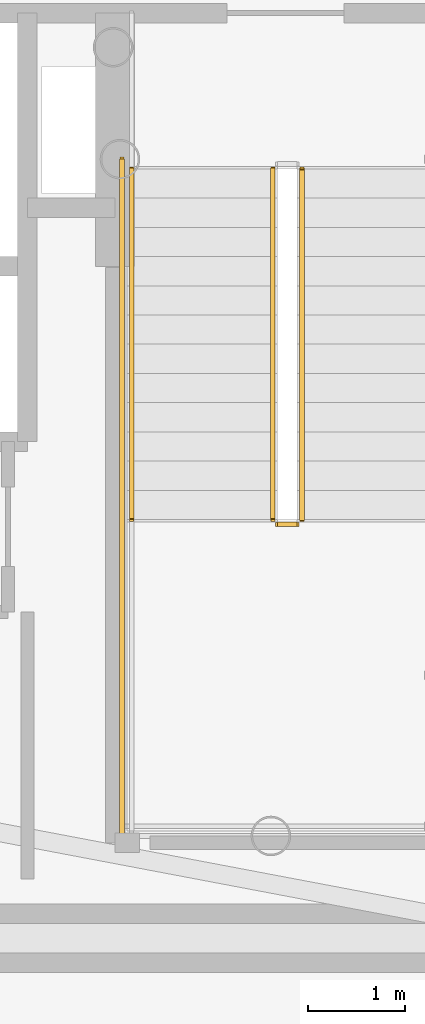
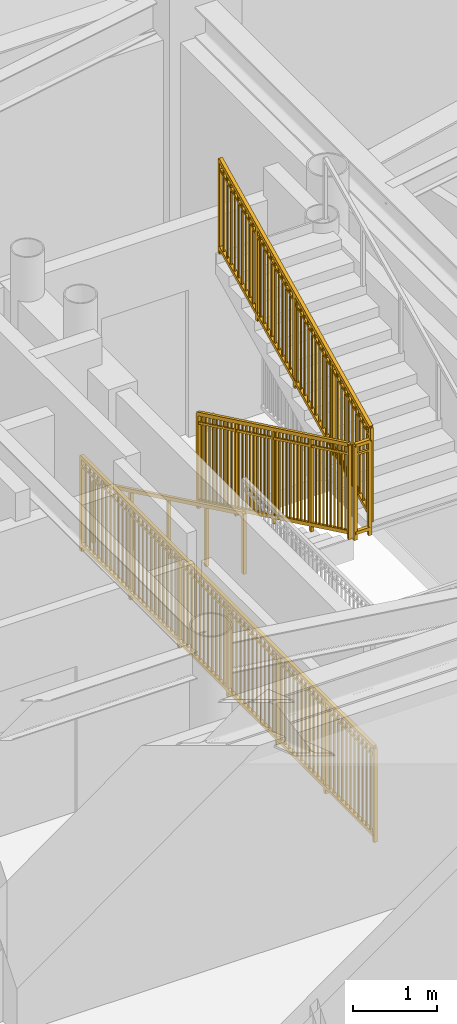
# One storey, part 17 of 19: 5 railings.
"""IFC4 building model written with IfcOpenShell, lengths in metres."""

from ifc_helpers import new_model, si_unit, direction, frame, origin, origin_2d, place, context, subcontext, project, spatial, rectangle, extrude, source, transform, mapped, material, type_object, element, save


model = new_model("IFC4")

# Units and contexts
model_context = context("Model", 3, precision=1e-05, world=origin(), true_north=direction((0.0, 1.0)))
body_context = subcontext(model_context, "Body", "Model", "MODEL_VIEW")
ifc_project = project(units=[si_unit("LENGTHUNIT", "METRE"), si_unit("AREAUNIT", "SQUARE_METRE"), si_unit("VOLUMEUNIT", "CUBIC_METRE"), si_unit("PLANEANGLEUNIT", "RADIAN"), si_unit("MASSUNIT", "GRAM", prefix="KILO")], contexts=[model_context])

# Site, building, storey
site_placement = place(None, origin())
site = spatial("IfcSite", under=ifc_project, at=site_placement, CompositionType="ELEMENT")
building_placement = place(site_placement, origin())
building = spatial("IfcBuilding", under=site, at=building_placement, Name="Linh Dai School and Residence Tower", CompositionType="ELEMENT")
storey_placement = place(building_placement, frame((0.0, 0.0, 210.300048828125)))
storey = spatial("IfcBuildingStorey", under=building, at=storey_placement, Name="L51", CompositionType="ELEMENT", Elevation=210.300048828125)

# Railings
ifc_material_1 = material(Name="Structural Steel S355JR", Category="steel")
railing_type_1 = type_object("IfcRailingType", Name="RL-ST-GUARD-1400", PredefinedType="GUARDRAIL", material=ifc_material_1)
shared_shape_1 = source(origin(), body_context, "Body", "SweptSolid", [
    extrude(rectangle(XDim=0.048095703125, YDim=0.048095703125, at=origin_2d()), frame((0.0, 0.0, 1.3759765625), z_axis=(0.0, 0.901262522062, 0.433273431364), x_axis=(-1.0, 0.0, 0.0)), (0.0, 0.0, 1.0), 3.994384765625),
    extrude(rectangle(XDim=0.048095703125, YDim=0.048095703125, at=origin_2d()), frame((0.0, 0.0, 0.10009765625), z_axis=(0.0, 0.901262522062, 0.433273431364), x_axis=(-1.0, 0.0, 0.0)), (0.0, 0.0, 1.0), 3.994384765625),
    extrude(rectangle(XDim=0.030029296875, YDim=0.030029296875, at=origin_2d()), frame((0.0, 0.0, 1.239990234375), z_axis=(0.0, 0.901262522062, 0.433273431364), x_axis=(-1.0, 0.0, 0.0)), (0.0, 0.0, 1.0), 3.994384765625),
    extrude(rectangle(XDim=0.02001953125, YDim=0.02001953125, at=origin_2d()), frame((0.0, 0.087890625, 0.142333984375)), (0.0, 0.0, 1.0), 1.251708984375),
    extrude(rectangle(XDim=0.02001953125, YDim=0.02001953125, at=origin_2d()), frame((0.0, 0.175537109375, 0.1845703125)), (0.0, 0.0, 1.0), 1.251708984375),
    extrude(rectangle(XDim=0.02001953125, YDim=0.02001953125, at=origin_2d()), frame((0.0, 0.263427734375, 0.226806640625)), (0.0, 0.0, 1.0), 1.251708984375),
    extrude(rectangle(XDim=0.02001953125, YDim=0.02001953125, at=origin_2d()), frame((0.0, 0.351318359375, 0.26904296875)), (0.0, 0.0, 1.0), 1.251708984375),
    extrude(rectangle(XDim=0.02001953125, YDim=0.02001953125, at=origin_2d()), frame((0.0, 0.43896484375, 0.311279296875)), (0.0, 0.0, 1.0), 1.251708984375),
    extrude(rectangle(XDim=0.02001953125, YDim=0.02001953125, at=origin_2d()), frame((0.0, 0.52685546875, 0.353271484375)), (0.0, 0.0, 1.0), 1.251708984375),
    extrude(rectangle(XDim=0.02001953125, YDim=0.02001953125, at=origin_2d()), frame((0.0, 0.61474609375, 0.3955078125)), (0.0, 0.0, 1.0), 1.251708984375),
    extrude(rectangle(XDim=0.02001953125, YDim=0.02001953125, at=origin_2d()), frame((0.0, 0.702392578125, 0.437744140625)), (0.0, 0.0, 1.0), 1.251708984375),
    extrude(rectangle(XDim=0.02001953125, YDim=0.02001953125, at=origin_2d()), frame((0.0, 0.790283203125, 0.47998046875)), (0.0, 0.0, 1.0), 1.251708984375),
    extrude(rectangle(XDim=0.02001953125, YDim=0.02001953125, at=origin_2d()), frame((0.0, 0.9658203125, 0.564453125)), (0.0, 0.0, 1.0), 1.251708984375),
    extrude(rectangle(XDim=0.02001953125, YDim=0.02001953125, at=origin_2d()), frame((0.0, 1.0537109375, 0.606689453125)), (0.0, 0.0, 1.0), 1.251708984375),
    extrude(rectangle(XDim=0.02001953125, YDim=0.02001953125, at=origin_2d()), frame((0.0, 1.1416015625, 0.64892578125)), (0.0, 0.0, 1.0), 1.251708984375),
    extrude(rectangle(XDim=0.02001953125, YDim=0.02001953125, at=origin_2d()), frame((0.0, 1.229248046875, 0.691162109375)), (0.0, 0.0, 1.0), 1.251708984375),
    extrude(rectangle(XDim=0.02001953125, YDim=0.02001953125, at=origin_2d()), frame((0.0, 1.317138671875, 0.7333984375)), (0.0, 0.0, 1.0), 1.251708984375),
    extrude(rectangle(XDim=0.02001953125, YDim=0.02001953125, at=origin_2d()), frame((0.0, 1.405029296875, 0.775390625)), (0.0, 0.0, 1.0), 1.251708984375),
    extrude(rectangle(XDim=0.02001953125, YDim=0.02001953125, at=origin_2d()), frame((0.0, 1.49267578125, 0.817626953125)), (0.0, 0.0, 1.0), 1.251708984375),
    extrude(rectangle(XDim=0.02001953125, YDim=0.02001953125, at=origin_2d()), frame((0.0, 1.58056640625, 0.85986328125)), (0.0, 0.0, 1.0), 1.251708984375),
    extrude(rectangle(XDim=0.02001953125, YDim=0.02001953125, at=origin_2d()), frame((0.0, 1.66845703125, 0.902099609375)), (0.0, 0.0, 1.0), 1.251708984375),
    extrude(rectangle(XDim=0.02001953125, YDim=0.02001953125, at=origin_2d()), frame((0.0, 1.756103515625, 0.9443359375)), (0.0, 0.0, 1.0), 1.251708984375),
    extrude(rectangle(XDim=0.02001953125, YDim=0.02001953125, at=origin_2d()), frame((0.0, 1.843994140625, 0.986572265625)), (0.0, 0.0, 1.0), 1.251708984375),
    extrude(rectangle(XDim=0.02001953125, YDim=0.02001953125, at=origin_2d()), frame((0.0, 1.931640625, 1.02880859375)), (0.0, 0.0, 1.0), 1.251708984375),
    extrude(rectangle(XDim=0.02001953125, YDim=0.02001953125, at=origin_2d()), frame((0.0, 2.01953125, 1.071044921875)), (0.0, 0.0, 1.0), 1.251708984375),
    extrude(rectangle(XDim=0.02001953125, YDim=0.02001953125, at=origin_2d()), frame((0.0, 2.107421875, 1.11328125)), (0.0, 0.0, 1.0), 1.251708984375),
    extrude(rectangle(XDim=0.02001953125, YDim=0.02001953125, at=origin_2d()), frame((0.0, 2.195068359375, 1.155517578125)), (0.0, 0.0, 1.0), 1.251708984375),
    extrude(rectangle(XDim=0.02001953125, YDim=0.02001953125, at=origin_2d()), frame((0.0, 2.282958984375, 1.197509765625)), (0.0, 0.0, 1.0), 1.251708984375),
    extrude(rectangle(XDim=0.02001953125, YDim=0.02001953125, at=origin_2d()), frame((0.0, 2.370849609375, 1.23974609375)), (0.0, 0.0, 1.0), 1.251708984375),
    extrude(rectangle(XDim=0.02001953125, YDim=0.02001953125, at=origin_2d()), frame((0.0, 2.45849609375, 1.281982421875)), (0.0, 0.0, 1.0), 1.251708984375),
    extrude(rectangle(XDim=0.02001953125, YDim=0.02001953125, at=origin_2d()), frame((0.0, 2.54638671875, 1.32421875)), (0.0, 0.0, 1.0), 1.251708984375),
    extrude(rectangle(XDim=0.02001953125, YDim=0.02001953125, at=origin_2d()), frame((0.0, 2.63427734375, 1.366455078125)), (0.0, 0.0, 1.0), 1.251708984375),
    extrude(rectangle(XDim=0.02001953125, YDim=0.02001953125, at=origin_2d()), frame((0.0, 2.809814453125, 1.450927734375)), (0.0, 0.0, 1.0), 1.251708984375),
    extrude(rectangle(XDim=0.02001953125, YDim=0.02001953125, at=origin_2d()), frame((0.0, 2.897705078125, 1.4931640625)), (0.0, 0.0, 1.0), 1.251708984375),
    extrude(rectangle(XDim=0.02001953125, YDim=0.02001953125, at=origin_2d()), frame((0.0, 2.9853515625, 1.535400390625)), (0.0, 0.0, 1.0), 1.251708984375),
    extrude(rectangle(XDim=0.02001953125, YDim=0.02001953125, at=origin_2d()), frame((0.0, 3.0732421875, 1.57763671875)), (0.0, 0.0, 1.0), 1.251708984375),
    extrude(rectangle(XDim=0.02001953125, YDim=0.02001953125, at=origin_2d()), frame((0.0, 3.1611328125, 1.61962890625)), (0.0, 0.0, 1.0), 1.251708984375),
    extrude(rectangle(XDim=0.02001953125, YDim=0.02001953125, at=origin_2d()), frame((0.0, 3.248779296875, 1.661865234375)), (0.0, 0.0, 1.0), 1.251708984375),
    extrude(rectangle(XDim=0.02001953125, YDim=0.02001953125, at=origin_2d()), frame((0.0, 3.336669921875, 1.7041015625)), (0.0, 0.0, 1.0), 1.251708984375),
    extrude(rectangle(XDim=0.02001953125, YDim=0.02001953125, at=origin_2d()), frame((0.0, 3.424560546875, 1.746337890625)), (0.0, 0.0, 1.0), 1.251708984375),
    extrude(rectangle(XDim=0.02001953125, YDim=0.02001953125, at=origin_2d()), frame((0.0, 3.51220703125, 1.78857421875)), (0.0, 0.0, 1.0), 1.251708984375),
    extrude(rectangle(XDim=0.0419921875, YDim=0.0419921875, at=origin_2d()), origin(), (0.0, 0.0, 1.0), 1.3759765625),
    extrude(rectangle(XDim=0.0419921875, YDim=0.0419921875, at=origin_2d()), frame((0.0, 0.89990234375, 0.4326171875)), (0.0, 0.0, 1.0), 1.3759765625),
    extrude(rectangle(XDim=0.0419921875, YDim=0.0419921875, at=origin_2d()), frame((0.0, 1.800048828125, 0.865234375)), (0.0, 0.0, 1.0), 1.3759765625),
    extrude(rectangle(XDim=0.0419921875, YDim=0.0419921875, at=origin_2d()), frame((0.0, 2.7001953125, 1.298095703125)), (0.0, 0.0, 1.0), 1.3759765625),
    extrude(rectangle(XDim=0.0419921875, YDim=0.0419921875, at=origin_2d()), frame((0.0, 3.60009765625, 1.730712890625)), (0.0, 0.0, 1.0), 1.3759765625),
])
railing_1_placement = place(storey_placement, frame((42.820068359375, 24.64990234375, 2.019287109375)))
element("IfcRailing", 1, at=railing_1_placement, inside=storey, type_object=railing_type_1, Name="L51 ST2 stair guard 6", PredefinedType="GUARDRAIL", context=body_context, shape_type="MappedRepresentation", body=[
    mapped(shared_shape_1, transform((0.0, 0.0, 0.0), x_axis=(1.0, 0.0, 0.0), y_axis=(0.0, 1.0, 0.0), z_axis=(0.0, 0.0, 1.0), scale=1.0)),
])
shared_shape_2 = source(origin(), body_context, "Body", "SweptSolid", [
    extrude(rectangle(XDim=0.048095703125, YDim=0.048095703125, at=origin_2d()), frame((0.0, 0.0, 1.3759765625), z_axis=(0.0, -0.901262522062, 0.433273431364), x_axis=(1.0, 0.0, 0.0)), (0.0, 0.0, 1.0), 3.994384765625),
    extrude(rectangle(XDim=0.048095703125, YDim=0.048095703125, at=origin_2d()), frame((0.0, 0.0, 0.10009765625), z_axis=(0.0, -0.901262522062, 0.433273431364), x_axis=(1.0, 0.0, 0.0)), (0.0, 0.0, 1.0), 3.994384765625),
    extrude(rectangle(XDim=0.030029296875, YDim=0.030029296875, at=origin_2d()), frame((0.0, 0.0, 1.239990234375), z_axis=(0.0, -0.901262522062, 0.433273431364), x_axis=(1.0, 0.0, 0.0)), (0.0, 0.0, 1.0), 3.994384765625),
    extrude(rectangle(XDim=0.02001953125, YDim=0.02001953125, at=origin_2d()), frame((0.0, -0.087890625, 0.142333984375)), (0.0, 0.0, 1.0), 1.251708984375),
    extrude(rectangle(XDim=0.02001953125, YDim=0.02001953125, at=origin_2d()), frame((0.0, -0.175537109375, 0.1845703125)), (0.0, 0.0, 1.0), 1.251708984375),
    extrude(rectangle(XDim=0.02001953125, YDim=0.02001953125, at=origin_2d()), frame((0.0, -0.263427734375, 0.226806640625)), (0.0, 0.0, 1.0), 1.251708984375),
    extrude(rectangle(XDim=0.02001953125, YDim=0.02001953125, at=origin_2d()), frame((0.0, -0.351318359375, 0.26904296875)), (0.0, 0.0, 1.0), 1.251708984375),
    extrude(rectangle(XDim=0.02001953125, YDim=0.02001953125, at=origin_2d()), frame((0.0, -0.43896484375, 0.311279296875)), (0.0, 0.0, 1.0), 1.251708984375),
    extrude(rectangle(XDim=0.02001953125, YDim=0.02001953125, at=origin_2d()), frame((0.0, -0.52685546875, 0.353271484375)), (0.0, 0.0, 1.0), 1.251708984375),
    extrude(rectangle(XDim=0.02001953125, YDim=0.02001953125, at=origin_2d()), frame((0.0, -0.61474609375, 0.3955078125)), (0.0, 0.0, 1.0), 1.251708984375),
    extrude(rectangle(XDim=0.02001953125, YDim=0.02001953125, at=origin_2d()), frame((0.0, -0.702392578125, 0.437744140625)), (0.0, 0.0, 1.0), 1.251708984375),
    extrude(rectangle(XDim=0.02001953125, YDim=0.02001953125, at=origin_2d()), frame((0.0, -0.790283203125, 0.47998046875)), (0.0, 0.0, 1.0), 1.251708984375),
    extrude(rectangle(XDim=0.02001953125, YDim=0.02001953125, at=origin_2d()), frame((0.0, -0.9658203125, 0.564453125)), (0.0, 0.0, 1.0), 1.251708984375),
    extrude(rectangle(XDim=0.02001953125, YDim=0.02001953125, at=origin_2d()), frame((0.0, -1.0537109375, 0.606689453125)), (0.0, 0.0, 1.0), 1.251708984375),
    extrude(rectangle(XDim=0.02001953125, YDim=0.02001953125, at=origin_2d()), frame((0.0, -1.1416015625, 0.64892578125)), (0.0, 0.0, 1.0), 1.251708984375),
    extrude(rectangle(XDim=0.02001953125, YDim=0.02001953125, at=origin_2d()), frame((0.0, -1.229248046875, 0.691162109375)), (0.0, 0.0, 1.0), 1.251708984375),
    extrude(rectangle(XDim=0.02001953125, YDim=0.02001953125, at=origin_2d()), frame((0.0, -1.317138671875, 0.7333984375)), (0.0, 0.0, 1.0), 1.251708984375),
    extrude(rectangle(XDim=0.02001953125, YDim=0.02001953125, at=origin_2d()), frame((0.0, -1.405029296875, 0.775390625)), (0.0, 0.0, 1.0), 1.251708984375),
    extrude(rectangle(XDim=0.02001953125, YDim=0.02001953125, at=origin_2d()), frame((0.0, -1.49267578125, 0.817626953125)), (0.0, 0.0, 1.0), 1.251708984375),
    extrude(rectangle(XDim=0.02001953125, YDim=0.02001953125, at=origin_2d()), frame((0.0, -1.58056640625, 0.85986328125)), (0.0, 0.0, 1.0), 1.251708984375),
    extrude(rectangle(XDim=0.02001953125, YDim=0.02001953125, at=origin_2d()), frame((0.0, -1.66845703125, 0.902099609375)), (0.0, 0.0, 1.0), 1.251708984375),
    extrude(rectangle(XDim=0.02001953125, YDim=0.02001953125, at=origin_2d()), frame((0.0, -1.756103515625, 0.9443359375)), (0.0, 0.0, 1.0), 1.251708984375),
    extrude(rectangle(XDim=0.02001953125, YDim=0.02001953125, at=origin_2d()), frame((0.0, -1.843994140625, 0.986572265625)), (0.0, 0.0, 1.0), 1.251708984375),
    extrude(rectangle(XDim=0.02001953125, YDim=0.02001953125, at=origin_2d()), frame((0.0, -1.931640625, 1.02880859375)), (0.0, 0.0, 1.0), 1.251708984375),
    extrude(rectangle(XDim=0.02001953125, YDim=0.02001953125, at=origin_2d()), frame((0.0, -2.01953125, 1.071044921875)), (0.0, 0.0, 1.0), 1.251708984375),
    extrude(rectangle(XDim=0.02001953125, YDim=0.02001953125, at=origin_2d()), frame((0.0, -2.107421875, 1.11328125)), (0.0, 0.0, 1.0), 1.251708984375),
    extrude(rectangle(XDim=0.02001953125, YDim=0.02001953125, at=origin_2d()), frame((0.0, -2.195068359375, 1.155517578125)), (0.0, 0.0, 1.0), 1.251708984375),
    extrude(rectangle(XDim=0.02001953125, YDim=0.02001953125, at=origin_2d()), frame((0.0, -2.282958984375, 1.197509765625)), (0.0, 0.0, 1.0), 1.251708984375),
    extrude(rectangle(XDim=0.02001953125, YDim=0.02001953125, at=origin_2d()), frame((0.0, -2.370849609375, 1.23974609375)), (0.0, 0.0, 1.0), 1.251708984375),
    extrude(rectangle(XDim=0.02001953125, YDim=0.02001953125, at=origin_2d()), frame((0.0, -2.45849609375, 1.281982421875)), (0.0, 0.0, 1.0), 1.251708984375),
    extrude(rectangle(XDim=0.02001953125, YDim=0.02001953125, at=origin_2d()), frame((0.0, -2.54638671875, 1.32421875)), (0.0, 0.0, 1.0), 1.251708984375),
    extrude(rectangle(XDim=0.02001953125, YDim=0.02001953125, at=origin_2d()), frame((0.0, -2.63427734375, 1.366455078125)), (0.0, 0.0, 1.0), 1.251708984375),
    extrude(rectangle(XDim=0.02001953125, YDim=0.02001953125, at=origin_2d()), frame((0.0, -2.809814453125, 1.450927734375)), (0.0, 0.0, 1.0), 1.251708984375),
    extrude(rectangle(XDim=0.02001953125, YDim=0.02001953125, at=origin_2d()), frame((0.0, -2.897705078125, 1.4931640625)), (0.0, 0.0, 1.0), 1.251708984375),
    extrude(rectangle(XDim=0.02001953125, YDim=0.02001953125, at=origin_2d()), frame((0.0, -2.9853515625, 1.535400390625)), (0.0, 0.0, 1.0), 1.251708984375),
    extrude(rectangle(XDim=0.02001953125, YDim=0.02001953125, at=origin_2d()), frame((0.0, -3.0732421875, 1.57763671875)), (0.0, 0.0, 1.0), 1.251708984375),
    extrude(rectangle(XDim=0.02001953125, YDim=0.02001953125, at=origin_2d()), frame((0.0, -3.1611328125, 1.61962890625)), (0.0, 0.0, 1.0), 1.251708984375),
    extrude(rectangle(XDim=0.02001953125, YDim=0.02001953125, at=origin_2d()), frame((0.0, -3.248779296875, 1.661865234375)), (0.0, 0.0, 1.0), 1.251708984375),
    extrude(rectangle(XDim=0.02001953125, YDim=0.02001953125, at=origin_2d()), frame((0.0, -3.336669921875, 1.7041015625)), (0.0, 0.0, 1.0), 1.251708984375),
    extrude(rectangle(XDim=0.02001953125, YDim=0.02001953125, at=origin_2d()), frame((0.0, -3.424560546875, 1.746337890625)), (0.0, 0.0, 1.0), 1.251708984375),
    extrude(rectangle(XDim=0.02001953125, YDim=0.02001953125, at=origin_2d()), frame((0.0, -3.51220703125, 1.78857421875)), (0.0, 0.0, 1.0), 1.251708984375),
    extrude(rectangle(XDim=0.0419921875, YDim=0.0419921875, at=origin_2d()), origin(), (0.0, 0.0, 1.0), 1.3759765625),
    extrude(rectangle(XDim=0.0419921875, YDim=0.0419921875, at=origin_2d()), frame((0.0, -0.89990234375, 0.4326171875)), (0.0, 0.0, 1.0), 1.3759765625),
    extrude(rectangle(XDim=0.0419921875, YDim=0.0419921875, at=origin_2d()), frame((0.0, -1.800048828125, 0.865234375)), (0.0, 0.0, 1.0), 1.3759765625),
    extrude(rectangle(XDim=0.0419921875, YDim=0.0419921875, at=origin_2d()), frame((0.0, -2.7001953125, 1.298095703125)), (0.0, 0.0, 1.0), 1.3759765625),
    extrude(rectangle(XDim=0.0419921875, YDim=0.0419921875, at=origin_2d()), frame((0.0, -3.60009765625, 1.730712890625)), (0.0, 0.0, 1.0), 1.3759765625),
])
railing_2_placement = place(storey_placement, frame((42.52001953125, 28.25, 0.144287109375)))
element("IfcRailing", 2, at=railing_2_placement, inside=storey, type_object=railing_type_1, Name="L51 ST2 stair guard 1", PredefinedType="GUARDRAIL", context=body_context, shape_type="MappedRepresentation", body=[
    mapped(shared_shape_2, transform((0.0, 0.0, 0.0), x_axis=(1.0, 0.0, 0.0), y_axis=(0.0, 1.0, 0.0), z_axis=(0.0, 0.0, 1.0), scale=1.0)),
])
ifc_material_2 = material(Name="Brushed Stainless Steel Handrail", Category="steel")
railing_type_2 = type_object("IfcRailingType", Name="RL-ST-HANDRAIL-900", PredefinedType="HANDRAIL", material=ifc_material_2)
shared_shape_3 = source(origin(), body_context, "Body", "SweptSolid", [
    extrude(rectangle(XDim=0.048095703125, YDim=0.048095703125, at=origin_2d()), frame((0.0, 0.0, 0.8759765625), z_axis=(0.0, -0.901262522062, 0.433273431364), x_axis=(1.0, 0.0, 0.0)), (0.0, 0.0, 1.0), 3.994384765625),
    extrude(rectangle(XDim=0.0419921875, YDim=0.0419921875, at=origin_2d()), origin(), (0.0, 0.0, 1.0), 0.8759765625),
    extrude(rectangle(XDim=0.0419921875, YDim=0.0419921875, at=origin_2d()), frame((0.0, -0.89990234375, 0.4326171875)), (0.0, 0.0, 1.0), 0.8759765625),
    extrude(rectangle(XDim=0.0419921875, YDim=0.0419921875, at=origin_2d()), frame((0.0, -1.800048828125, 0.865234375)), (0.0, 0.0, 1.0), 0.8759765625),
    extrude(rectangle(XDim=0.0419921875, YDim=0.0419921875, at=origin_2d()), frame((0.0, -2.7001953125, 1.298095703125)), (0.0, 0.0, 1.0), 0.8759765625),
    extrude(rectangle(XDim=0.0419921875, YDim=0.0419921875, at=origin_2d()), frame((0.0, -3.60009765625, 1.730712890625)), (0.0, 0.0, 1.0), 0.8759765625),
])
railing_3_placement = place(storey_placement, frame((41.070068359375, 28.25, 0.144287109375)))
element("IfcRailing", 3, at=railing_3_placement, inside=storey, type_object=railing_type_2, Name="L51 ST2 stair handrail 1", PredefinedType="HANDRAIL", context=body_context, shape_type="MappedRepresentation", body=[
    mapped(shared_shape_3, transform((0.0, 0.0, 0.0), x_axis=(1.0, 0.0, 0.0), y_axis=(0.0, 1.0, 0.0), z_axis=(0.0, 0.0, 1.0), scale=1.0)),
])
shared_shape_4 = source(origin(), body_context, "Body", "SweptSolid", [
    extrude(rectangle(XDim=0.048095703125, YDim=0.048095703125, at=origin_2d()), frame((0.0, 0.0, 1.3759765625), z_axis=(1.0, 0.0, 0.0), x_axis=(0.0, 1.0, 0.0)), (0.0, 0.0, 1.0), 0.199951171875),
    extrude(rectangle(XDim=0.048095703125, YDim=0.048095703125, at=origin_2d()), frame((0.0, 0.0, 0.10009765625), z_axis=(1.0, 0.0, 0.0), x_axis=(0.0, 1.0, 0.0)), (0.0, 0.0, 1.0), 0.199951171875),
    extrude(rectangle(XDim=0.030029296875, YDim=0.030029296875, at=origin_2d()), frame((0.0, 0.0, 1.239990234375), z_axis=(1.0, 0.0, 0.0), x_axis=(0.0, 1.0, 0.0)), (0.0, 0.0, 1.0), 0.199951171875),
    extrude(rectangle(XDim=0.0419921875, YDim=0.0419921875, at=origin_2d()), origin(), (0.0, 0.0, 1.0), 1.3759765625),
    extrude(rectangle(XDim=0.0419921875, YDim=0.0419921875, at=origin_2d()), frame((0.199951171875, 0.0, 0.0)), (0.0, 0.0, 1.0), 1.3759765625),
])
railing_4_placement = place(storey_placement, frame((42.570068359375, 24.60009765625, 1.875)))
element("IfcRailing", 4, at=railing_4_placement, inside=storey, type_object=railing_type_1, Name="L51 ST2 stair guard 2", PredefinedType="GUARDRAIL", context=body_context, shape_type="MappedRepresentation", body=[
    mapped(shared_shape_4, transform((0.0, 0.0, 0.0), x_axis=(1.0, 0.0, 0.0), y_axis=(0.0, 1.0, 0.0), z_axis=(0.0, 0.0, 1.0), scale=1.0)),
])
shared_shape_5 = source(origin(), body_context, "Body", "SweptSolid", [
    extrude(rectangle(XDim=0.048095703125, YDim=0.048095703125, at=origin_2d()), frame((0.0, 0.0, 1.3759765625), z_axis=(0.0, -1.0, 0.0), x_axis=(1.0, 0.0, 0.0)), (0.0, 0.0, 1.0), 7.0),
    extrude(rectangle(XDim=0.048095703125, YDim=0.048095703125, at=origin_2d()), frame((0.0, 0.0, 0.10009765625), z_axis=(0.0, -1.0, 0.0), x_axis=(1.0, 0.0, 0.0)), (0.0, 0.0, 1.0), 7.0),
    extrude(rectangle(XDim=0.030029296875, YDim=0.030029296875, at=origin_2d()), frame((0.0, 0.0, 1.239990234375), z_axis=(0.0, -1.0, 0.0), x_axis=(1.0, 0.0, 0.0)), (0.0, 0.0, 1.0), 7.0),
    extrude(rectangle(XDim=0.02001953125, YDim=0.02001953125, at=origin_2d()), frame((0.0, -0.09716796875, 0.10009765625)), (0.0, 0.0, 1.0), 1.251708984375),
    extrude(rectangle(XDim=0.02001953125, YDim=0.02001953125, at=origin_2d()), frame((0.0, -0.1943359375, 0.10009765625)), (0.0, 0.0, 1.0), 1.251708984375),
    extrude(rectangle(XDim=0.02001953125, YDim=0.02001953125, at=origin_2d()), frame((0.0, -0.291748046875, 0.10009765625)), (0.0, 0.0, 1.0), 1.251708984375),
    extrude(rectangle(XDim=0.02001953125, YDim=0.02001953125, at=origin_2d()), frame((0.0, -0.388916015625, 0.10009765625)), (0.0, 0.0, 1.0), 1.251708984375),
    extrude(rectangle(XDim=0.02001953125, YDim=0.02001953125, at=origin_2d()), frame((0.0, -0.486083984375, 0.10009765625)), (0.0, 0.0, 1.0), 1.251708984375),
    extrude(rectangle(XDim=0.02001953125, YDim=0.02001953125, at=origin_2d()), frame((0.0, -0.583251953125, 0.10009765625)), (0.0, 0.0, 1.0), 1.251708984375),
    extrude(rectangle(XDim=0.02001953125, YDim=0.02001953125, at=origin_2d()), frame((0.0, -0.6806640625, 0.10009765625)), (0.0, 0.0, 1.0), 1.251708984375),
    extrude(rectangle(XDim=0.02001953125, YDim=0.02001953125, at=origin_2d()), frame((0.0, -0.77783203125, 0.10009765625)), (0.0, 0.0, 1.0), 1.251708984375),
    extrude(rectangle(XDim=0.02001953125, YDim=0.02001953125, at=origin_2d()), frame((0.0, -0.875, 0.10009765625)), (0.0, 0.0, 1.0), 1.251708984375),
    extrude(rectangle(XDim=0.02001953125, YDim=0.02001953125, at=origin_2d()), frame((0.0, -0.97216796875, 0.10009765625)), (0.0, 0.0, 1.0), 1.251708984375),
    extrude(rectangle(XDim=0.02001953125, YDim=0.02001953125, at=origin_2d()), frame((0.0, -1.0693359375, 0.10009765625)), (0.0, 0.0, 1.0), 1.251708984375),
    extrude(rectangle(XDim=0.02001953125, YDim=0.02001953125, at=origin_2d()), frame((0.0, -1.263916015625, 0.10009765625)), (0.0, 0.0, 1.0), 1.251708984375),
    extrude(rectangle(XDim=0.02001953125, YDim=0.02001953125, at=origin_2d()), frame((0.0, -1.361083984375, 0.10009765625)), (0.0, 0.0, 1.0), 1.251708984375),
    extrude(rectangle(XDim=0.02001953125, YDim=0.02001953125, at=origin_2d()), frame((0.0, -1.458251953125, 0.10009765625)), (0.0, 0.0, 1.0), 1.251708984375),
    extrude(rectangle(XDim=0.02001953125, YDim=0.02001953125, at=origin_2d()), frame((0.0, -1.5556640625, 0.10009765625)), (0.0, 0.0, 1.0), 1.251708984375),
    extrude(rectangle(XDim=0.02001953125, YDim=0.02001953125, at=origin_2d()), frame((0.0, -1.65283203125, 0.10009765625)), (0.0, 0.0, 1.0), 1.251708984375),
    extrude(rectangle(XDim=0.02001953125, YDim=0.02001953125, at=origin_2d()), frame((0.0, -1.75, 0.10009765625)), (0.0, 0.0, 1.0), 1.251708984375),
    extrude(rectangle(XDim=0.02001953125, YDim=0.02001953125, at=origin_2d()), frame((0.0, -1.84716796875, 0.10009765625)), (0.0, 0.0, 1.0), 1.251708984375),
    extrude(rectangle(XDim=0.02001953125, YDim=0.02001953125, at=origin_2d()), frame((0.0, -1.9443359375, 0.10009765625)), (0.0, 0.0, 1.0), 1.251708984375),
    extrude(rectangle(XDim=0.02001953125, YDim=0.02001953125, at=origin_2d()), frame((0.0, -2.041748046875, 0.10009765625)), (0.0, 0.0, 1.0), 1.251708984375),
    extrude(rectangle(XDim=0.02001953125, YDim=0.02001953125, at=origin_2d()), frame((0.0, -2.138916015625, 0.10009765625)), (0.0, 0.0, 1.0), 1.251708984375),
    extrude(rectangle(XDim=0.02001953125, YDim=0.02001953125, at=origin_2d()), frame((0.0, -2.236083984375, 0.10009765625)), (0.0, 0.0, 1.0), 1.251708984375),
    extrude(rectangle(XDim=0.02001953125, YDim=0.02001953125, at=origin_2d()), frame((0.0, -2.4306640625, 0.10009765625)), (0.0, 0.0, 1.0), 1.251708984375),
    extrude(rectangle(XDim=0.02001953125, YDim=0.02001953125, at=origin_2d()), frame((0.0, -2.52783203125, 0.10009765625)), (0.0, 0.0, 1.0), 1.251708984375),
    extrude(rectangle(XDim=0.02001953125, YDim=0.02001953125, at=origin_2d()), frame((0.0, -2.625, 0.10009765625)), (0.0, 0.0, 1.0), 1.251708984375),
    extrude(rectangle(XDim=0.02001953125, YDim=0.02001953125, at=origin_2d()), frame((0.0, -2.72216796875, 0.10009765625)), (0.0, 0.0, 1.0), 1.251708984375),
    extrude(rectangle(XDim=0.02001953125, YDim=0.02001953125, at=origin_2d()), frame((0.0, -2.8193359375, 0.10009765625)), (0.0, 0.0, 1.0), 1.251708984375),
    extrude(rectangle(XDim=0.02001953125, YDim=0.02001953125, at=origin_2d()), frame((0.0, -2.916748046875, 0.10009765625)), (0.0, 0.0, 1.0), 1.251708984375),
    extrude(rectangle(XDim=0.02001953125, YDim=0.02001953125, at=origin_2d()), frame((0.0, -3.013916015625, 0.10009765625)), (0.0, 0.0, 1.0), 1.251708984375),
    extrude(rectangle(XDim=0.02001953125, YDim=0.02001953125, at=origin_2d()), frame((0.0, -3.111083984375, 0.10009765625)), (0.0, 0.0, 1.0), 1.251708984375),
    extrude(rectangle(XDim=0.02001953125, YDim=0.02001953125, at=origin_2d()), frame((0.0, -3.208251953125, 0.10009765625)), (0.0, 0.0, 1.0), 1.251708984375),
    extrude(rectangle(XDim=0.02001953125, YDim=0.02001953125, at=origin_2d()), frame((0.0, -3.3056640625, 0.10009765625)), (0.0, 0.0, 1.0), 1.251708984375),
    extrude(rectangle(XDim=0.02001953125, YDim=0.02001953125, at=origin_2d()), frame((0.0, -3.40283203125, 0.10009765625)), (0.0, 0.0, 1.0), 1.251708984375),
    extrude(rectangle(XDim=0.02001953125, YDim=0.02001953125, at=origin_2d()), frame((0.0, -3.59716796875, 0.10009765625)), (0.0, 0.0, 1.0), 1.251708984375),
    extrude(rectangle(XDim=0.02001953125, YDim=0.02001953125, at=origin_2d()), frame((0.0, -3.6943359375, 0.10009765625)), (0.0, 0.0, 1.0), 1.251708984375),
    extrude(rectangle(XDim=0.02001953125, YDim=0.02001953125, at=origin_2d()), frame((0.0, -3.791748046875, 0.10009765625)), (0.0, 0.0, 1.0), 1.251708984375),
    extrude(rectangle(XDim=0.02001953125, YDim=0.02001953125, at=origin_2d()), frame((0.0, -3.888916015625, 0.10009765625)), (0.0, 0.0, 1.0), 1.251708984375),
    extrude(rectangle(XDim=0.02001953125, YDim=0.02001953125, at=origin_2d()), frame((0.0, -3.986083984375, 0.10009765625)), (0.0, 0.0, 1.0), 1.251708984375),
    extrude(rectangle(XDim=0.02001953125, YDim=0.02001953125, at=origin_2d()), frame((0.0, -4.083251953125, 0.10009765625)), (0.0, 0.0, 1.0), 1.251708984375),
    extrude(rectangle(XDim=0.02001953125, YDim=0.02001953125, at=origin_2d()), frame((0.0, -4.1806640625, 0.10009765625)), (0.0, 0.0, 1.0), 1.251708984375),
    extrude(rectangle(XDim=0.02001953125, YDim=0.02001953125, at=origin_2d()), frame((0.0, -4.27783203125, 0.10009765625)), (0.0, 0.0, 1.0), 1.251708984375),
    extrude(rectangle(XDim=0.02001953125, YDim=0.02001953125, at=origin_2d()), frame((0.0, -4.375, 0.10009765625)), (0.0, 0.0, 1.0), 1.251708984375),
    extrude(rectangle(XDim=0.02001953125, YDim=0.02001953125, at=origin_2d()), frame((0.0, -4.47216796875, 0.10009765625)), (0.0, 0.0, 1.0), 1.251708984375),
    extrude(rectangle(XDim=0.02001953125, YDim=0.02001953125, at=origin_2d()), frame((0.0, -4.5693359375, 0.10009765625)), (0.0, 0.0, 1.0), 1.251708984375),
    extrude(rectangle(XDim=0.02001953125, YDim=0.02001953125, at=origin_2d()), frame((0.0, -4.763916015625, 0.10009765625)), (0.0, 0.0, 1.0), 1.251708984375),
    extrude(rectangle(XDim=0.02001953125, YDim=0.02001953125, at=origin_2d()), frame((0.0, -4.861083984375, 0.10009765625)), (0.0, 0.0, 1.0), 1.251708984375),
    extrude(rectangle(XDim=0.02001953125, YDim=0.02001953125, at=origin_2d()), frame((0.0, -4.958251953125, 0.10009765625)), (0.0, 0.0, 1.0), 1.251708984375),
    extrude(rectangle(XDim=0.02001953125, YDim=0.02001953125, at=origin_2d()), frame((0.0, -5.0556640625, 0.10009765625)), (0.0, 0.0, 1.0), 1.251708984375),
    extrude(rectangle(XDim=0.02001953125, YDim=0.02001953125, at=origin_2d()), frame((0.0, -5.15283203125, 0.10009765625)), (0.0, 0.0, 1.0), 1.251708984375),
    extrude(rectangle(XDim=0.02001953125, YDim=0.02001953125, at=origin_2d()), frame((0.0, -5.25, 0.10009765625)), (0.0, 0.0, 1.0), 1.251708984375),
    extrude(rectangle(XDim=0.02001953125, YDim=0.02001953125, at=origin_2d()), frame((0.0, -5.34716796875, 0.10009765625)), (0.0, 0.0, 1.0), 1.251708984375),
    extrude(rectangle(XDim=0.02001953125, YDim=0.02001953125, at=origin_2d()), frame((0.0, -5.4443359375, 0.10009765625)), (0.0, 0.0, 1.0), 1.251708984375),
    extrude(rectangle(XDim=0.02001953125, YDim=0.02001953125, at=origin_2d()), frame((0.0, -5.541748046875, 0.10009765625)), (0.0, 0.0, 1.0), 1.251708984375),
    extrude(rectangle(XDim=0.02001953125, YDim=0.02001953125, at=origin_2d()), frame((0.0, -5.638916015625, 0.10009765625)), (0.0, 0.0, 1.0), 1.251708984375),
    extrude(rectangle(XDim=0.02001953125, YDim=0.02001953125, at=origin_2d()), frame((0.0, -5.736083984375, 0.10009765625)), (0.0, 0.0, 1.0), 1.251708984375),
    extrude(rectangle(XDim=0.02001953125, YDim=0.02001953125, at=origin_2d()), frame((0.0, -5.9306640625, 0.10009765625)), (0.0, 0.0, 1.0), 1.251708984375),
    extrude(rectangle(XDim=0.02001953125, YDim=0.02001953125, at=origin_2d()), frame((0.0, -6.02783203125, 0.10009765625)), (0.0, 0.0, 1.0), 1.251708984375),
    extrude(rectangle(XDim=0.02001953125, YDim=0.02001953125, at=origin_2d()), frame((0.0, -6.125, 0.10009765625)), (0.0, 0.0, 1.0), 1.251708984375),
    extrude(rectangle(XDim=0.02001953125, YDim=0.02001953125, at=origin_2d()), frame((0.0, -6.22216796875, 0.10009765625)), (0.0, 0.0, 1.0), 1.251708984375),
    extrude(rectangle(XDim=0.02001953125, YDim=0.02001953125, at=origin_2d()), frame((0.0, -6.3193359375, 0.10009765625)), (0.0, 0.0, 1.0), 1.251708984375),
    extrude(rectangle(XDim=0.02001953125, YDim=0.02001953125, at=origin_2d()), frame((0.0, -6.416748046875, 0.10009765625)), (0.0, 0.0, 1.0), 1.251708984375),
    extrude(rectangle(XDim=0.02001953125, YDim=0.02001953125, at=origin_2d()), frame((0.0, -6.513916015625, 0.10009765625)), (0.0, 0.0, 1.0), 1.251708984375),
    extrude(rectangle(XDim=0.02001953125, YDim=0.02001953125, at=origin_2d()), frame((0.0, -6.611083984375, 0.10009765625)), (0.0, 0.0, 1.0), 1.251708984375),
    extrude(rectangle(XDim=0.02001953125, YDim=0.02001953125, at=origin_2d()), frame((0.0, -6.708251953125, 0.10009765625)), (0.0, 0.0, 1.0), 1.251708984375),
    extrude(rectangle(XDim=0.02001953125, YDim=0.02001953125, at=origin_2d()), frame((0.0, -6.8056640625, 0.10009765625)), (0.0, 0.0, 1.0), 1.251708984375),
    extrude(rectangle(XDim=0.02001953125, YDim=0.02001953125, at=origin_2d()), frame((0.0, -6.90283203125, 0.10009765625)), (0.0, 0.0, 1.0), 1.251708984375),
    extrude(rectangle(XDim=0.0419921875, YDim=0.0419921875, at=origin_2d()), origin(), (0.0, 0.0, 1.0), 1.3759765625),
    extrude(rectangle(XDim=0.0419921875, YDim=0.0419921875, at=origin_2d()), frame((0.0, -1.166748046875, 0.0)), (0.0, 0.0, 1.0), 1.3759765625),
    extrude(rectangle(XDim=0.0419921875, YDim=0.0419921875, at=origin_2d()), frame((0.0, -2.333251953125, 0.0)), (0.0, 0.0, 1.0), 1.3759765625),
    extrude(rectangle(XDim=0.0419921875, YDim=0.0419921875, at=origin_2d()), frame((0.0, -3.5, 0.0)), (0.0, 0.0, 1.0), 1.3759765625),
    extrude(rectangle(XDim=0.0419921875, YDim=0.0419921875, at=origin_2d()), frame((0.0, -4.666748046875, 0.0)), (0.0, 0.0, 1.0), 1.3759765625),
    extrude(rectangle(XDim=0.0419921875, YDim=0.0419921875, at=origin_2d()), frame((0.0, -5.833251953125, 0.0)), (0.0, 0.0, 1.0), 1.3759765625),
    extrude(rectangle(XDim=0.0419921875, YDim=0.0419921875, at=origin_2d()), frame((0.0, -7.0, 0.0)), (0.0, 0.0, 1.0), 1.3759765625),
])
railing_5_placement = place(storey_placement, frame((40.969970703125, 28.35009765625, 0.0)))
element("IfcRailing", 5, at=railing_5_placement, inside=storey, type_object=railing_type_1, Name="L51 ST2 stair guard 10", PredefinedType="GUARDRAIL", context=body_context, shape_type="MappedRepresentation", body=[
    mapped(shared_shape_5, transform((0.0, 0.0, 0.0), x_axis=(1.0, 0.0, 0.0), y_axis=(0.0, 1.0, 0.0), z_axis=(0.0, 0.0, 1.0), scale=1.0)),
])

save(model, "model.ifc")
